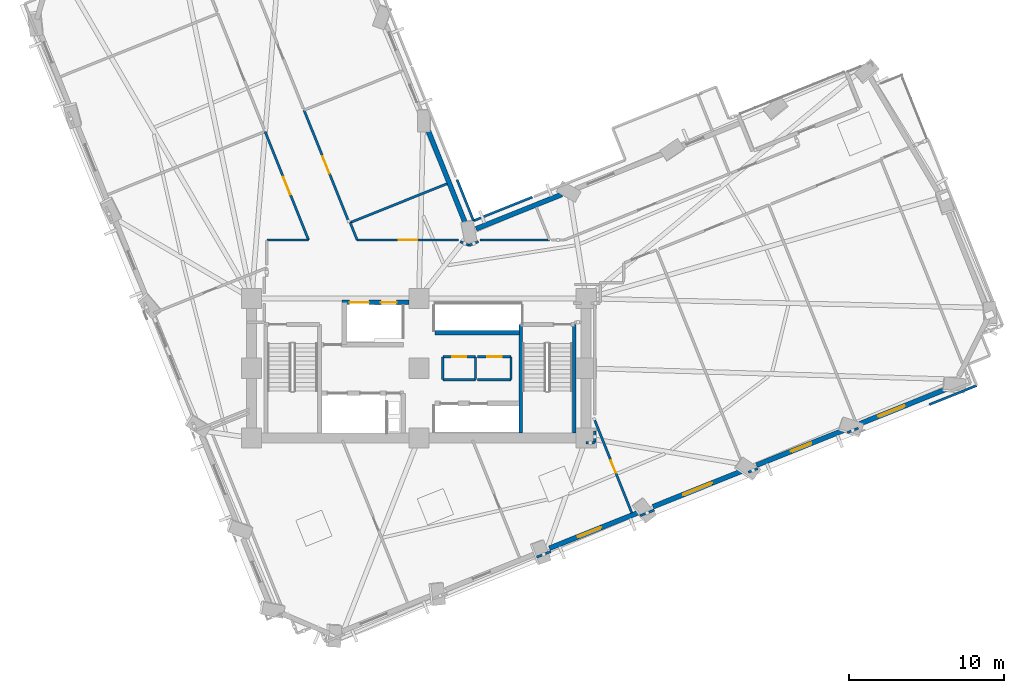
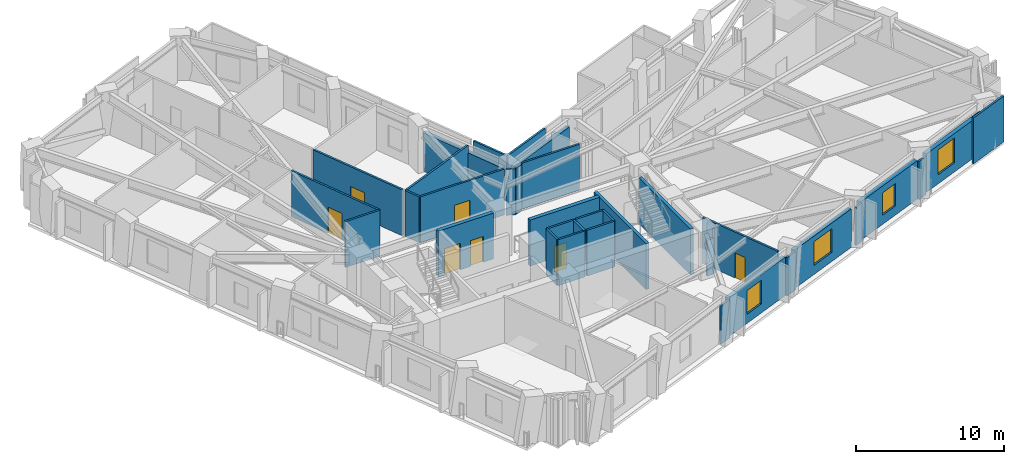
# One storey, part 9 of 16: 36 walls, 8 doors, 4 windows, 12 openings.
"""IFC4 building model written with IfcOpenShell, lengths in metres."""

from ifc_helpers import new_model, si_unit, direction, frame, frame_2d, origin, place, context, subcontext, project, spatial, rectangle, extrude, material, layer, layer_set, type_object, element, fill, save


model = new_model("IFC4")

# Units and contexts
model_context = context("Model", 3, precision=1e-05, world=origin(), true_north=direction((0.0, 1.0)))
body_context = subcontext(model_context, "Body", "Model", "MODEL_VIEW")
ifc_project = project(units=[si_unit("LENGTHUNIT", "METRE"), si_unit("AREAUNIT", "SQUARE_METRE"), si_unit("VOLUMEUNIT", "CUBIC_METRE"), si_unit("PLANEANGLEUNIT", "RADIAN"), si_unit("MASSUNIT", "GRAM", prefix="KILO")], contexts=[model_context])

# Site, building, storey
site_placement = place(None, origin())
site = spatial("IfcSite", under=ifc_project, at=site_placement, CompositionType="ELEMENT")
building_placement = place(site_placement, origin())
building = spatial("IfcBuilding", under=site, at=building_placement, Name="Gaonmaruhae Medical Tower", CompositionType="ELEMENT")
storey_placement = place(building_placement, frame((0.0, 0.0, 116.39990234375)))
storey = spatial("IfcBuildingStorey", under=building, at=storey_placement, Name="L27", CompositionType="ELEMENT", Elevation=116.39990234375)

# Wall, opening, window
ifc_material_1 = material(Name="Precast concrete C45/55", Category="concrete")
ifc_layer_1 = layer(ifc_material_1, 0.320068359375)
ifc_layer_set_1 = layer_set([ifc_layer_1], Name="Precast concrete C45/55")
wall_type_1 = type_object("IfcWallType", Name="EW-320 Lower Precast Masonry-Frame Facade Wall", PredefinedType="SOLIDWALL", material=ifc_layer_set_1)
wall_1_placement = place(storey_placement, frame((38.993408203125, 2.990478515625, 0.0), z_axis=(0.0, 0.0, 1.0), x_axis=(-0.928164774406, -0.372169519913, 0.0)))
wall_1 = element("IfcWall", 1, at=wall_1_placement, inside=storey, type_object=wall_type_1, Name="L27 Precast Masonry-Frame Wall S03-S04", PredefinedType="SOLIDWALL", context=body_context, shape_type="SweptSolid", body=[
    extrude(rectangle(XDim=6.214111328125, YDim=0.320068359375, at=frame_2d((3.10693359375, 0.0))), origin(), (0.0, 0.0, 1.0), 3.1650390625),
])
opening_1_placement = place(wall_1_placement, frame((2.622314453125, 0.0, 0.75)))
opening_1 = element("IfcOpeningElement", 2, at=opening_1_placement, cuts=wall_1, Name="Opening WN-01", PredefinedType="OPENING", context=body_context, shape_type="SweptSolid", body=[
    extrude(rectangle(XDim=1.60009765625, YDim=1.949951171875, at=frame_2d((0.800048828125, 0.97509765625))), frame((0.0, 0.169921875, 0.0), z_axis=(0.0, -1.0, 0.0), x_axis=(1.0, 0.0, 0.0)), (0.0, 0.0, 1.0), 0.340087890625),
])
ifc_material_2 = material(Name="Anodised aluminium and Low-E double glazing", Category="aluminium")
window_type_1 = type_object("IfcWindowType", Name="WN-01 Ward Punched Acoustic Window 1600x1950", PartitioningType="SINGLE_PANEL", PredefinedType="WINDOW", material=ifc_material_2)
window_1_placement = place(opening_1_placement, origin())
window_1 = element("IfcWindow", 3, at=window_1_placement, inside=storey, type_object=window_type_1, Name="L27 Modular Facade Window S03", OverallHeight=1.949951171875, OverallWidth=1.60009765625, PartitioningType="SINGLE_PANEL", PredefinedType="WINDOW", context=body_context, shape_type="SweptSolid", body=[
    extrude(rectangle(XDim=1.60009765625, YDim=1.949951171875, at=frame_2d((0.800048828125, 0.97509765625))), frame((0.0, 0.030029296875, 0.0), z_axis=(0.0, -1.0, 0.0), x_axis=(1.0, 0.0, 0.0)), (0.0, 0.0, 1.0), 0.06005859375),
])
fill(opening_1, window_1)

wall_2_placement = place(storey_placement, frame((45.676513671875, 5.67041015625, 0.0), z_axis=(0.0, 0.0, 1.0), x_axis=(-0.928164509938, -0.372170179477, 0.0)))
wall_2 = element("IfcWall", 4, at=wall_2_placement, inside=storey, type_object=wall_type_1, Name="L27 Precast Masonry-Frame Wall S04-S05", PredefinedType="SOLIDWALL", context=body_context, shape_type="SweptSolid", body=[
    extrude(rectangle(XDim=6.208984375, YDim=0.320068359375, at=frame_2d((3.1044921875, 0.0))), origin(), (0.0, 0.0, 1.0), 3.1650390625),
])
opening_2_placement = place(wall_2_placement, frame((2.104736328125, 0.0, 0.75)))
opening_2 = element("IfcOpeningElement", 5, at=opening_2_placement, cuts=wall_2, Name="Opening WN-02", PredefinedType="OPENING", context=body_context, shape_type="SweptSolid", body=[
    extrude(rectangle(XDim=2.0, YDim=1.949951171875, at=frame_2d((1.0, 0.97509765625))), frame((0.0, 0.169921875, 0.0), z_axis=(0.0, -1.0, 0.0), x_axis=(1.0, 0.0, 0.0)), (0.0, 0.0, 1.0), 0.340087890625),
])
window_type_2 = type_object("IfcWindowType", Name="WN-02 Double-Bed Ward Punched Window 2000x1950", PartitioningType="SINGLE_PANEL", PredefinedType="WINDOW", material=ifc_material_2)
window_2_placement = place(opening_2_placement, origin())
window_2 = element("IfcWindow", 6, at=window_2_placement, inside=storey, type_object=window_type_2, Name="L27 Modular Facade Window S04", OverallHeight=1.949951171875, OverallWidth=2.0, PartitioningType="SINGLE_PANEL", PredefinedType="WINDOW", context=body_context, shape_type="SweptSolid", body=[
    extrude(rectangle(XDim=2.0, YDim=1.949951171875, at=frame_2d((1.0, 0.97509765625))), frame((0.0, 0.030029296875, 0.0), z_axis=(0.0, -1.0, 0.0), x_axis=(1.0, 0.0, 0.0)), (0.0, 0.0, 1.0), 0.06005859375),
])
fill(opening_2, window_2)

wall_3_placement = place(storey_placement, frame((52.366455078125, 8.35302734375, 0.0), z_axis=(0.0, 0.0, 1.0), x_axis=(-0.928164972463, -0.372169025972, 0.0)))
wall_3 = element("IfcWall", 7, at=wall_3_placement, inside=storey, type_object=wall_type_1, Name="L27 Precast Masonry-Frame Wall S05-S06", PredefinedType="SOLIDWALL", context=body_context, shape_type="SweptSolid", body=[
    extrude(rectangle(XDim=6.21826171875, YDim=0.320068359375, at=frame_2d((3.109130859375, 0.0))), origin(), (0.0, 0.0, 1.0), 3.1650390625),
])
opening_3_placement = place(wall_3_placement, frame((2.4111328125, 0.0, 0.75)))
opening_3 = element("IfcOpeningElement", 8, at=opening_3_placement, cuts=wall_3, Name="Opening WN-03", PredefinedType="OPENING", context=body_context, shape_type="SweptSolid", body=[
    extrude(rectangle(XDim=1.39990234375, YDim=1.85009765625, at=frame_2d((0.699951171875, 0.925048828125))), frame((0.0, 0.169921875, 0.0), z_axis=(0.0, -1.0, 0.0), x_axis=(1.0, 0.0, 0.0)), (0.0, 0.0, 1.0), 0.340087890625),
])
window_type_3 = type_object("IfcWindowType", Name="WN-03 Isolation Ward Punched Window 1400x1850", PartitioningType="SINGLE_PANEL", PredefinedType="WINDOW", material=ifc_material_2)
window_3_placement = place(opening_3_placement, origin())
window_3 = element("IfcWindow", 9, at=window_3_placement, inside=storey, type_object=window_type_3, Name="L27 Modular Facade Window S05", OverallHeight=1.85009765625, OverallWidth=1.39990234375, PartitioningType="SINGLE_PANEL", PredefinedType="WINDOW", context=body_context, shape_type="SweptSolid", body=[
    extrude(rectangle(XDim=1.39990234375, YDim=1.85009765625, at=frame_2d((0.699951171875, 0.925048828125))), frame((0.0, 0.030029296875, 0.0), z_axis=(0.0, -1.0, 0.0), x_axis=(1.0, 0.0, 0.0)), (0.0, 0.0, 1.0), 0.06005859375),
])
fill(opening_3, window_3)

wall_4_placement = place(storey_placement, frame((59.063720703125, 11.038330078125, 0.0), z_axis=(0.0, 0.0, 1.0), x_axis=(-0.928163479726, -0.372172748739, 0.0)))
wall_4 = element("IfcWall", 10, at=wall_4_placement, inside=storey, type_object=wall_type_1, Name="L27 Precast Masonry-Frame Wall S06-S07", PredefinedType="SOLIDWALL", context=body_context, shape_type="SweptSolid", body=[
    extrude(rectangle(XDim=6.242431640625, YDim=0.320068359375, at=frame_2d((3.12109375, 0.0))), origin(), (0.0, 0.0, 1.0), 3.1650390625),
])
opening_4_placement = place(wall_4_placement, frame((3.14013671875, 0.0, 0.75)))
opening_4 = element("IfcOpeningElement", 11, at=opening_4_placement, cuts=wall_4, Name="Opening WN-04", PredefinedType="OPENING", context=body_context, shape_type="SweptSolid", body=[
    extrude(rectangle(XDim=1.800048828125, YDim=2.050048828125, at=frame_2d((0.89990234375, 1.02490234375))), frame((0.0, 0.169921875, 0.0), z_axis=(0.0, -1.0, 0.0), x_axis=(1.0, 0.0, 0.0)), (0.0, 0.0, 1.0), 0.340087890625),
])
window_type_4 = type_object("IfcWindowType", Name="WN-04 Clinic & Consult Punched Window 1800x2050", PartitioningType="SINGLE_PANEL", PredefinedType="WINDOW", material=ifc_material_2)
window_4_placement = place(opening_4_placement, origin())
window_4 = element("IfcWindow", 12, at=window_4_placement, inside=storey, type_object=window_type_4, Name="L27 Modular Facade Window S06", OverallHeight=2.050048828125, OverallWidth=1.800048828125, PartitioningType="SINGLE_PANEL", PredefinedType="WINDOW", context=body_context, shape_type="SweptSolid", body=[
    extrude(rectangle(XDim=1.800048828125, YDim=2.050048828125, at=frame_2d((0.89990234375, 1.02490234375))), frame((0.0, 0.030029296875, 0.0), z_axis=(0.0, -1.0, 0.0), x_axis=(1.0, 0.0, 0.0)), (0.0, 0.0, 1.0), 0.06005859375),
])
fill(opening_4, window_4)

# Walls
wall_5_placement = place(storey_placement, frame((28.49169921875, 21.297119140625, 0.0), z_axis=(0.0, 0.0, 1.0), x_axis=(0.928154282778, 0.372195684232, 0.0)))
element("IfcWall", 13, at=wall_5_placement, inside=storey, type_object=wall_type_1, Name="L27 Precast Masonry-Frame Wall EN03-KN01", PredefinedType="SOLIDWALL", context=body_context, shape_type="SweptSolid", body=[
    extrude(rectangle(XDim=5.9599609375, YDim=0.320068359375, at=frame_2d((2.97998046875, 0.0))), origin(), (0.0, 0.0, 1.0), 3.1650390625),
])
wall_6_placement = place(storey_placement, frame((25.342529296875, 27.793701171875, 0.0), z_axis=(0.0, 0.0, 1.0), x_axis=(0.37216889436, -0.928165025236, 0.0)))
element("IfcWall", 14, at=wall_6_placement, inside=storey, type_object=wall_type_1, Name="L27 Precast Masonry-Frame Wall KN01-NE01", PredefinedType="SOLIDWALL", context=body_context, shape_type="SweptSolid", body=[
    extrude(rectangle(XDim=6.760009765625, YDim=0.320068359375, at=frame_2d((3.3798828125, 0.0))), origin(), (0.0, 0.0, 1.0), 3.1650390625),
])
ifc_material_3 = material(Name="Gypsum board partition", Category="gypsum")
ifc_layer_2 = layer(ifc_material_3, 0.14990234375)
ifc_layer_set_2 = layer_set([ifc_layer_2], Name="Gypsum board partition")
wall_type_2 = type_object("IfcWallType", Name="PW-150 Rated Clinical Corridor Partition", PredefinedType="PARTITIONING", material=ifc_layer_set_2)
wall_7_placement = place(storey_placement, frame((26.35009765625, 11.56005859375, 0.0), z_axis=(0.0, 0.0, 1.0), x_axis=(0.0, 1.0, 0.0)))
element("IfcWall", 15, at=wall_7_placement, inside=storey, type_object=wall_type_2, Name="L27 Interior Partition L27-CS1-1", PredefinedType="PARTITIONING", context=body_context, shape_type="SweptSolid", body=[
    extrude(rectangle(XDim=1.47998046875, YDim=0.14990234375, at=frame_2d((0.739990234375, 0.0))), origin(), (0.0, 0.0, 1.0), 3.780029296875),
])

# Wall, opening, door
wall_8_placement = place(storey_placement, frame((26.35009765625, 13.0400390625, 0.0), z_axis=(0.0, 0.0, 1.0), x_axis=(1.0, 0.0, 0.0)))
wall_8 = element("IfcWall", 16, at=wall_8_placement, inside=storey, type_object=wall_type_2, Name="L27 Interior Partition L27-CS1-2", PredefinedType="PARTITIONING", context=body_context, shape_type="SweptSolid", body=[
    extrude(rectangle(XDim=2.099853515625, YDim=0.14990234375, at=frame_2d((1.0498046875, 0.0))), origin(), (0.0, 0.0, 1.0), 3.780029296875),
])
opening_5_placement = place(wall_8_placement, frame((0.590087890625, 0.0, 0.0)))
opening_5 = element("IfcOpeningElement", 17, at=opening_5_placement, cuts=wall_8, Name="Opening UD-01", PredefinedType="OPENING", context=body_context, shape_type="SweptSolid", body=[
    extrude(rectangle(XDim=0.919921875, YDim=2.10009765625, at=frame_2d((0.4599609375, 1.050048828125))), frame((0.0, 0.0849609375, 0.0), z_axis=(0.0, -1.0, 0.0), x_axis=(1.0, 0.0, 0.0)), (0.0, 0.0, 1.0), 0.169921875),
])
ifc_material_4 = material(Name="Powder-coated steel utility door", Category="steel")
door_type_1 = type_object("IfcDoorType", Name="UD-01 Toilet, Utility & Housekeeping Door 920x2100", OperationType="NOTDEFINED", PredefinedType="DOOR", material=ifc_material_4)
door_1_placement = place(opening_5_placement, origin())
door_1 = element("IfcDoor", 18, at=door_1_placement, inside=storey, type_object=door_type_1, Name="L27 Accessible Staff Toilet Door", OperationType="SINGLE_SWING_LEFT", OverallHeight=2.10009765625, OverallWidth=0.919921875, PredefinedType="DOOR", context=body_context, shape_type="SweptSolid", body=[
    extrude(rectangle(XDim=0.919921875, YDim=2.10009765625, at=frame_2d((0.4599609375, 1.050048828125))), frame((0.0, 0.02490234375, 0.0), z_axis=(0.0, -1.0, 0.0), x_axis=(1.0, 0.0, 0.0)), (0.0, 0.0, 1.0), 0.050048828125),
])
fill(opening_5, door_1)

# Walls
wall_9_placement = place(storey_placement, frame((28.449951171875, 13.0400390625, 0.0), z_axis=(0.0, 0.0, 1.0), x_axis=(0.0, -1.0, 0.0)))
element("IfcWall", 19, at=wall_9_placement, inside=storey, type_object=wall_type_2, Name="L27 Interior Partition L27-CS1-3", PredefinedType="PARTITIONING", context=body_context, shape_type="SweptSolid", body=[
    extrude(rectangle(XDim=1.47998046875, YDim=0.14990234375, at=frame_2d((0.739990234375, 0.0))), origin(), (0.0, 0.0, 1.0), 3.780029296875),
])
wall_10_placement = place(storey_placement, frame((28.449951171875, 11.56005859375, 0.0), z_axis=(0.0, 0.0, 1.0), x_axis=(-1.0, 0.0, 0.0)))
element("IfcWall", 20, at=wall_10_placement, inside=storey, type_object=wall_type_2, Name="L27 Interior Partition L27-CS1-4", PredefinedType="PARTITIONING", context=body_context, shape_type="SweptSolid", body=[
    extrude(rectangle(XDim=2.099853515625, YDim=0.14990234375, at=frame_2d((1.0498046875, 0.0))), origin(), (0.0, 0.0, 1.0), 3.780029296875),
])

# Wall, opening, door
wall_11_placement = place(storey_placement, frame((28.60009765625, 13.0400390625, 0.0), z_axis=(0.0, 0.0, 1.0), x_axis=(1.0, 0.0, 0.0)))
wall_11 = element("IfcWall", 21, at=wall_11_placement, inside=storey, type_object=wall_type_2, Name="L27 Interior Partition L27-CS2-5", PredefinedType="PARTITIONING", context=body_context, shape_type="SweptSolid", body=[
    extrude(rectangle(XDim=2.14990234375, YDim=0.14990234375, at=frame_2d((1.074951171875, 0.0))), origin(), (0.0, 0.0, 1.0), 3.780029296875),
])
opening_6_placement = place(wall_11_placement, frame((0.614990234375, 0.0, 0.0)))
opening_6 = element("IfcOpeningElement", 22, at=opening_6_placement, cuts=wall_11, Name="Opening UD-01", PredefinedType="OPENING", context=body_context, shape_type="SweptSolid", body=[
    extrude(rectangle(XDim=0.919921875, YDim=2.10009765625, at=frame_2d((0.4599609375, 1.050048828125))), frame((0.0, 0.0849609375, 0.0), z_axis=(0.0, -1.0, 0.0), x_axis=(1.0, 0.0, 0.0)), (0.0, 0.0, 1.0), 0.169921875),
])
door_2_placement = place(opening_6_placement, origin())
door_2 = element("IfcDoor", 23, at=door_2_placement, inside=storey, type_object=door_type_1, Name="L27 Biomedical Telemetry Closet Door", OperationType="SINGLE_SWING_RIGHT", OverallHeight=2.10009765625, OverallWidth=0.919921875, PredefinedType="DOOR", context=body_context, shape_type="SweptSolid", body=[
    extrude(rectangle(XDim=0.919921875, YDim=2.10009765625, at=frame_2d((0.4599609375, 1.050048828125))), frame((0.0, 0.02490234375, 0.0), z_axis=(0.0, -1.0, 0.0), x_axis=(1.0, 0.0, 0.0)), (0.0, 0.0, 1.0), 0.050048828125),
])
fill(opening_6, door_2)

# Walls
wall_12_placement = place(storey_placement, frame((30.75, 13.0400390625, 0.0), z_axis=(0.0, 0.0, 1.0), x_axis=(0.0, -1.0, 0.0)))
element("IfcWall", 24, at=wall_12_placement, inside=storey, type_object=wall_type_2, Name="L27 Interior Partition L27-CS2-6", PredefinedType="PARTITIONING", context=body_context, shape_type="SweptSolid", body=[
    extrude(rectangle(XDim=1.47998046875, YDim=0.14990234375, at=frame_2d((0.739990234375, 0.0))), origin(), (0.0, 0.0, 1.0), 3.780029296875),
])
wall_13_placement = place(storey_placement, frame((30.75, 11.56005859375, 0.0), z_axis=(0.0, 0.0, 1.0), x_axis=(-1.0, 0.0, 0.0)))
element("IfcWall", 25, at=wall_13_placement, inside=storey, type_object=wall_type_2, Name="L27 Interior Partition L27-CS2-7", PredefinedType="PARTITIONING", context=body_context, shape_type="SweptSolid", body=[
    extrude(rectangle(XDim=2.14990234375, YDim=0.14990234375, at=frame_2d((1.074951171875, 0.0))), origin(), (0.0, 0.0, 1.0), 3.780029296875),
])

# Wall, opening, door
wall_14_placement = place(storey_placement, frame((36.14990234375, 8.943115234375, 0.0), z_axis=(0.0, 0.0, 1.0), x_axis=(0.372206491807, -0.9281499488, 0.0)))
wall_14 = element("IfcWall", 26, at=wall_14_placement, inside=storey, type_object=wall_type_2, Name="L27 Interior Partition L27-SUP03-17", PredefinedType="PARTITIONING", context=body_context, shape_type="SweptSolid", body=[
    extrude(rectangle(XDim=6.448486328125, YDim=0.14990234375, at=frame_2d((3.22412109375, 0.0))), origin(), (0.0, 0.0, 1.0), 3.780029296875),
])
opening_7_placement = place(wall_14_placement, frame((2.794189453125, 0.0, 0.0)))
opening_7 = element("IfcOpeningElement", 27, at=opening_7_placement, cuts=wall_14, Name="Opening AD-01", PredefinedType="OPENING", context=body_context, shape_type="SweptSolid", body=[
    extrude(rectangle(XDim=0.860107421875, YDim=2.06005859375, at=frame_2d((0.43017578125, 1.030029296875))), frame((0.0, 0.0849609375, 0.0), z_axis=(0.0, -1.0, 0.0), x_axis=(1.0, 0.0, 0.0)), (0.0, 0.0, 1.0), 0.169921875),
])
ifc_material_5 = material(Name="Powder-coated steel access door", Category="steel")
door_type_2 = type_object("IfcDoorType", Name="AD-01 Riser & Closet Access Fire Door 860x2060", OperationType="NOTDEFINED", PredefinedType="DOOR", material=ifc_material_5)
door_3_placement = place(opening_7_placement, origin())
door_3 = element("IfcDoor", 28, at=door_3_placement, inside=storey, type_object=door_type_2, Name="L27 Clinical Biomedical Charting Office Sliding Door", OperationType="SLIDING_TO_LEFT", OverallHeight=2.06005859375, OverallWidth=0.860107421875, PredefinedType="DOOR", context=body_context, shape_type="SweptSolid", body=[
    extrude(rectangle(XDim=0.860107421875, YDim=2.06005859375, at=frame_2d((0.43017578125, 1.030029296875))), frame((0.0, 0.02490234375, 0.0), z_axis=(0.0, -1.0, 0.0), x_axis=(1.0, 0.0, 0.0)), (0.0, 0.0, 1.0), 0.050048828125),
])
fill(opening_7, door_3)

# Walls
wall_15_placement = place(storey_placement, frame((33.31103515625, 0.464111328125, 0.0), z_axis=(0.0, 0.0, 1.0), x_axis=(-0.928321842669, -0.371777563099, 0.0)))
element("IfcWall", 29, at=wall_15_placement, inside=storey, type_object=wall_type_2, Name="L27 Interior Partition L27-SUP03-18", PredefinedType="PARTITIONING", context=body_context, shape_type="SweptSolid", body=[
    extrude(rectangle(XDim=0.97900390625, YDim=0.14990234375, at=frame_2d((0.489501953125, 0.0))), origin(), (0.0, 0.0, 1.0), 3.1650390625),
])
wall_16_placement = place(storey_placement, frame((35.60009765625, 7.5, 0.0), z_axis=(0.0, 0.0, 1.0), x_axis=(1.0, 0.0, 0.0)))
element("IfcWall", 30, at=wall_16_placement, inside=storey, type_object=wall_type_2, Name="L27 Interior Partition L27-SUP03-19", PredefinedType="PARTITIONING", context=body_context, shape_type="SweptSolid", body=[
    extrude(rectangle(XDim=0.5498046875, YDim=0.14990234375, at=frame_2d((0.27490234375, 0.0))), origin(), (0.0, 0.0, 1.0), 2.965087890625),
])
wall_17_placement = place(storey_placement, frame((36.14990234375, 7.5, 0.0), z_axis=(0.0, 0.0, 1.0), x_axis=(0.0, 1.0, 0.0)))
element("IfcWall", 31, at=wall_17_placement, inside=storey, type_object=wall_type_2, Name="L27 Interior Partition L27-SUP03-20", PredefinedType="PARTITIONING", context=body_context, shape_type="SweptSolid", body=[
    extrude(rectangle(XDim=0.743896484375, YDim=0.14990234375, at=frame_2d((0.3720703125, 0.0))), origin(), (0.0, 0.0, 1.0), 3.780029296875),
])
wall_18_placement = place(storey_placement, frame((39.9990234375, 3.14599609375, 0.0), z_axis=(0.0, 0.0, 1.0), x_axis=(-0.928153569213, -0.372197463663, 0.0)))
element("IfcWall", 32, at=wall_18_placement, inside=storey, type_object=wall_type_2, Name="L27 Interior Partition L27-SUP04-29", PredefinedType="PARTITIONING", context=body_context, shape_type="SweptSolid", body=[
    extrude(rectangle(XDim=0.9912109375, YDim=0.14990234375, at=frame_2d((0.49560546875, 0.0))), origin(), (0.0, 0.0, 1.0), 3.1650390625),
])
wall_19_placement = place(storey_placement, frame((53.1650390625, 8.425048828125, 0.0), z_axis=(0.0, 0.0, 1.0), x_axis=(-0.928081747062, -0.372376517479, 0.0)))
element("IfcWall", 33, at=wall_19_placement, inside=storey, type_object=wall_type_2, Name="L27 Interior Partition L27-SUP05-34", PredefinedType="PARTITIONING", context=body_context, shape_type="SweptSolid", body=[
    extrude(rectangle(XDim=0.768310546875, YDim=0.14990234375, at=frame_2d((0.38427734375, 0.0))), origin(), (0.0, 0.0, 1.0), 3.1650390625),
])
wall_20_placement = place(storey_placement, frame((46.680908203125, 5.824951171875, 0.0), z_axis=(0.0, 0.0, 1.0), x_axis=(-0.92839940505, -0.371583832673, 0.0)))
element("IfcWall", 34, at=wall_20_placement, inside=storey, type_object=wall_type_2, Name="L27 Interior Partition L27-SUP05-35", PredefinedType="PARTITIONING", context=body_context, shape_type="SweptSolid", body=[
    extrude(rectangle(XDim=0.65380859375, YDim=0.14990234375, at=frame_2d((0.326904296875, 0.0))), origin(), (0.0, 0.0, 1.0), 3.1650390625),
])

# Wall, opening, door
wall_21_placement = place(storey_placement, frame((14.8701171875, 27.5791015625, 0.0), z_axis=(0.0, 0.0, 1.0), x_axis=(0.372222245283, -0.928143631189, 0.0)))
wall_21 = element("IfcWall", 35, at=wall_21_placement, inside=storey, type_object=wall_type_2, Name="L27 Interior Partition L27-WOF08-51", PredefinedType="PARTITIONING", context=body_context, shape_type="SweptSolid", body=[
    extrude(rectangle(XDim=7.540771484375, YDim=0.14990234375, at=frame_2d((3.7705078125, 0.0))), origin(), (0.0, 0.0, 1.0), 3.780029296875),
])
opening_8_placement = place(wall_21_placement, frame((3.17041015625, 0.0, 0.0)))
opening_8 = element("IfcOpeningElement", 36, at=opening_8_placement, cuts=wall_21, Name="Opening CD-02", PredefinedType="OPENING", context=body_context, shape_type="SweptSolid", body=[
    extrude(rectangle(XDim=1.199951171875, YDim=2.14990234375, at=frame_2d((0.60009765625, 1.074951171875))), frame((0.0, 0.0849609375, 0.0), z_axis=(0.0, -1.0, 0.0), x_axis=(1.0, 0.0, 0.0)), (0.0, 0.0, 1.0), 0.169921875),
])
ifc_material_6 = material(Name="Antimicrobial laminate timber fire door", Category="wood")
door_type_3 = type_object("IfcDoorType", Name="CD-02 Clinical Treatment & Procedure Door 1200x2150", OperationType="NOTDEFINED", PredefinedType="DOOR", material=ifc_material_6)
door_4_placement = place(opening_8_placement, origin())
door_4 = element("IfcDoor", 37, at=door_4_placement, inside=storey, type_object=door_type_3, Name="L27 Ward Physician Reporting Office Door", OperationType="SINGLE_SWING_RIGHT", OverallHeight=2.14990234375, OverallWidth=1.199951171875, PredefinedType="DOOR", context=body_context, shape_type="SweptSolid", body=[
    extrude(rectangle(XDim=1.199951171875, YDim=2.14990234375, at=frame_2d((0.60009765625, 1.074951171875))), frame((0.0, 0.02490234375, 0.0), z_axis=(0.0, -1.0, 0.0), x_axis=(1.0, 0.0, 0.0)), (0.0, 0.0, 1.0), 0.050048828125),
])
fill(opening_8, door_4)

# Walls
wall_22_placement = place(storey_placement, frame((17.677001953125, 20.580078125, 0.0), z_axis=(0.0, 0.0, 1.0), x_axis=(-1.0, 0.0, 0.0)))
element("IfcWall", 38, at=wall_22_placement, inside=storey, type_object=wall_type_2, Name="L27 Interior Partition L27-WOF08-52", PredefinedType="PARTITIONING", context=body_context, shape_type="SweptSolid", body=[
    extrude(rectangle(XDim=2.679931640625, YDim=0.14990234375, at=frame_2d((1.33984375, 0.0))), origin(), (0.0, 0.0, 1.0), 3.780029296875),
])
wall_23_placement = place(storey_placement, frame((28.64404296875, 20.47412109375, 0.0), z_axis=(0.0, 0.0, 1.0), x_axis=(-0.923494633817, -0.383611341478, 0.0)))
element("IfcWall", 39, at=wall_23_placement, inside=storey, type_object=wall_type_2, Name="L27 Interior Partition L27-IE01-64", PredefinedType="PARTITIONING", context=body_context, shape_type="SweptSolid", body=[
    extrude(rectangle(XDim=0.638916015625, YDim=0.14990234375, at=frame_2d((0.3193359375, 0.0))), origin(), (0.0, 0.0, 1.0), 3.780029296875),
])
wall_24_placement = place(storey_placement, frame((28.053955078125, 20.22900390625, 0.0), z_axis=(0.0, 0.0, 1.0), x_axis=(-0.923438377602, 0.38374674301, 0.0)))
element("IfcWall", 40, at=wall_24_placement, inside=storey, type_object=wall_type_2, Name="L27 Interior Partition L27-IE01-65", PredefinedType="PARTITIONING", context=body_context, shape_type="SweptSolid", body=[
    extrude(rectangle(XDim=0.638671875, YDim=0.14990234375, at=frame_2d((0.3193359375, 0.0))), origin(), (0.0, 0.0, 1.0), 3.780029296875),
])

# Wall, opening, door
wall_25_placement = place(storey_placement, frame((27.35888671875, 20.580078125, 0.0), z_axis=(0.0, 0.0, 1.0), x_axis=(-1.0, 0.0, 0.0)))
wall_25 = element("IfcWall", 41, at=wall_25_placement, inside=storey, type_object=wall_type_2, Name="L27 Interior Partition L27-IE01-66", PredefinedType="PARTITIONING", context=body_context, shape_type="SweptSolid", body=[
    extrude(rectangle(XDim=6.546875, YDim=0.14990234375, at=frame_2d((3.2734375, 0.0))), origin(), (0.0, 0.0, 1.0), 3.780029296875),
])
opening_9_placement = place(wall_25_placement, frame((2.673583984375, 0.0, 0.0)))
opening_9 = element("IfcOpeningElement", 42, at=opening_9_placement, cuts=wall_25, Name="Opening CD-02", PredefinedType="OPENING", context=body_context, shape_type="SweptSolid", body=[
    extrude(rectangle(XDim=1.199951171875, YDim=2.14990234375, at=frame_2d((0.60009765625, 1.074951171875))), frame((0.0, 0.0849609375, 0.0), z_axis=(0.0, -1.0, 0.0), x_axis=(1.0, 0.0, 0.0)), (0.0, 0.0, 1.0), 0.169921875),
])
door_5_placement = place(opening_9_placement, origin())
door_5 = element("IfcDoor", 43, at=door_5_placement, inside=storey, type_object=door_type_3, Name="L27 Central Clinical Nurse Station Door", OperationType="SINGLE_SWING_RIGHT", OverallHeight=2.14990234375, OverallWidth=1.199951171875, PredefinedType="DOOR", context=body_context, shape_type="SweptSolid", body=[
    extrude(rectangle(XDim=1.199951171875, YDim=2.14990234375, at=frame_2d((0.60009765625, 1.074951171875))), frame((0.0, 0.02490234375, 0.0), z_axis=(0.0, -1.0, 0.0), x_axis=(1.0, 0.0, 0.0)), (0.0, 0.0, 1.0), 0.050048828125),
])
fill(opening_9, door_5)

# Walls
wall_26_placement = place(storey_placement, frame((20.81201171875, 20.580078125, 0.0), z_axis=(0.0, 0.0, 1.0), x_axis=(-0.371843836614, 0.928295298476, 0.0)))
element("IfcWall", 44, at=wall_26_placement, inside=storey, type_object=wall_type_2, Name="L27 Interior Partition L27-IE01-67", PredefinedType="PARTITIONING", context=body_context, shape_type="SweptSolid", body=[
    extrude(rectangle(XDim=1.20751953125, YDim=0.14990234375, at=frame_2d((0.603759765625, 0.0))), origin(), (0.0, 0.0, 1.0), 3.780029296875),
])
wall_27_placement = place(storey_placement, frame((20.363037109375, 21.700927734375, 0.0), z_axis=(0.0, 0.0, 1.0), x_axis=(0.928142281739, 0.372225610147, 0.0)))
element("IfcWall", 45, at=wall_27_placement, inside=storey, type_object=wall_type_2, Name="L27 Interior Partition L27-IE01-68", PredefinedType="PARTITIONING", context=body_context, shape_type="SweptSolid", body=[
    extrude(rectangle(XDim=6.75439453125, YDim=0.14990234375, at=frame_2d((3.377197265625, 0.0))), origin(), (0.0, 0.0, 1.0), 3.780029296875),
])
wall_28_placement = place(storey_placement, frame((27.26806640625, 24.469970703125, 0.0), z_axis=(0.0, 0.0, 1.0), x_axis=(0.372187869695, -0.928157416418, 0.0)))
element("IfcWall", 46, at=wall_28_placement, inside=storey, type_object=wall_type_2, Name="L27 Interior Partition L27-IE01-69", PredefinedType="PARTITIONING", context=body_context, shape_type="SweptSolid", body=[
    extrude(rectangle(XDim=2.850830078125, YDim=0.14990234375, at=frame_2d((1.42529296875, 0.0))), origin(), (0.0, 0.0, 1.0), 3.780029296875),
])
wall_29_placement = place(storey_placement, frame((28.3291015625, 21.823974609375, 0.0), z_axis=(0.0, 0.0, 1.0), x_axis=(0.928105529855, 0.372317237652, 0.0)))
element("IfcWall", 47, at=wall_29_placement, inside=storey, type_object=wall_type_2, Name="L27 Interior Partition L27-IE01-70", PredefinedType="PARTITIONING", context=body_context, shape_type="SweptSolid", body=[
    extrude(rectangle(XDim=4.087890625, YDim=0.14990234375, at=frame_2d((2.0439453125, 0.0))), origin(), (0.0, 0.0, 1.0), 3.780029296875),
])
wall_30_placement = place(storey_placement, frame((33.23193359375, 20.580078125, 0.0), z_axis=(0.0, 0.0, 1.0), x_axis=(-1.0, 0.0, 0.0)))
element("IfcWall", 48, at=wall_30_placement, inside=storey, type_object=wall_type_2, Name="L27 Interior Partition L27-IE01-72", PredefinedType="PARTITIONING", context=body_context, shape_type="SweptSolid", body=[
    extrude(rectangle(XDim=4.48583984375, YDim=0.14990234375, at=frame_2d((2.242919921875, 0.0))), origin(), (0.0, 0.0, 1.0), 3.780029296875),
])

# Wall, opening, door
wall_31_placement = place(storey_placement, frame((20.22900390625, 21.873046875, 0.0), z_axis=(0.0, 0.0, 1.0), x_axis=(-0.372211937798, 0.928147764831, 0.0)))
wall_31 = element("IfcWall", 49, at=wall_31_placement, inside=storey, type_object=wall_type_2, Name="L27 Interior Partition L27-IN01-85", PredefinedType="PARTITIONING", context=body_context, shape_type="SweptSolid", body=[
    extrude(rectangle(XDim=7.635498046875, YDim=0.14990234375, at=frame_2d((3.81787109375, 0.0))), origin(), (0.0, 0.0, 1.0), 3.780029296875),
])
opening_10_placement = place(wall_31_placement, frame((3.2177734375, 0.0, 0.0)))
opening_10 = element("IfcOpeningElement", 50, at=opening_10_placement, cuts=wall_31, Name="Opening CD-02", PredefinedType="OPENING", context=body_context, shape_type="SweptSolid", body=[
    extrude(rectangle(XDim=1.199951171875, YDim=2.14990234375, at=frame_2d((0.60009765625, 1.074951171875))), frame((0.0, 0.0849609375, 0.0), z_axis=(0.0, -1.0, 0.0), x_axis=(1.0, 0.0, 0.0)), (0.0, 0.0, 1.0), 0.169921875),
])
door_6_placement = place(opening_10_placement, origin())
door_6 = element("IfcDoor", 51, at=door_6_placement, inside=storey, type_object=door_type_3, Name="L27 Physician Consultation Office Door", OperationType="SINGLE_SWING_RIGHT", OverallHeight=2.14990234375, OverallWidth=1.199951171875, PredefinedType="DOOR", context=body_context, shape_type="SweptSolid", body=[
    extrude(rectangle(XDim=1.199951171875, YDim=2.14990234375, at=frame_2d((0.60009765625, 1.074951171875))), frame((0.0, 0.02490234375, 0.0), z_axis=(0.0, -1.0, 0.0), x_axis=(1.0, 0.0, 0.0)), (0.0, 0.0, 1.0), 0.050048828125),
])
fill(opening_10, door_6)

# Walls
wall_32_placement = place(storey_placement, frame((60.822998046875, 11.18408203125, 0.0), z_axis=(0.0, 0.0, 1.0), x_axis=(-0.928095815957, -0.372341451362, 0.0)))
element("IfcWall", 52, at=wall_32_placement, inside=storey, type_object=wall_type_2, Name="L27 Interior Partition L27-RM02-106", PredefinedType="PARTITIONING", context=body_context, shape_type="SweptSolid", body=[
    extrude(rectangle(XDim=3.31982421875, YDim=0.14990234375, at=frame_2d((1.659912109375, 0.0))), origin(), (0.0, 0.0, 1.0), 3.780029296875),
])
ifc_material_7 = material(Name="Concrete C50/60", Category="concrete")
ifc_layer_3 = layer(ifc_material_7, 0.239990234375)
ifc_layer_set_3 = layer_set([ifc_layer_3], Name="Concrete C50/60")
wall_type_3 = type_object("IfcWallType", Name="SW-240 Dogleg Stair Tight Shaft Wall", PredefinedType="SOLIDWALL", material=ifc_layer_set_3)
for number, where, z_axis, x_axis, name in (
    (53, (34.830078125, 15.1201171875, 0.0), (0.0, 0.0, 1.0), (0.0, -1.0, 0.0), "L27 ST-02 Stair Shaft Wall SHW-ST-02-E"),
    (54, (31.3701171875, 8.125, 0.0), (0.0, 0.0, 1.0), (0.0, 1.0, 0.0), "L27 ST-02 Stair Shaft Wall SHW-ST-02-W"),
):
    element("IfcWall", number, at=place(storey_placement, frame(where, z_axis=z_axis, x_axis=x_axis)), inside=storey, type_object=wall_type_3, Name=name, PredefinedType="SOLIDWALL", context=body_context, shape_type="SweptSolid", body=[
        extrude(rectangle(XDim=6.9951171875, YDim=0.239990234375, at=frame_2d((3.49755859375, 0.0))), origin(), (0.0, 0.0, 1.0), 3.780029296875),
    ])

# Wall, openings, doors
ifc_layer_4 = layer(ifc_material_7, 0.300048828125)
ifc_layer_set_4 = layer_set([ifc_layer_4], Name="Concrete C50/60")
wall_type_4 = type_object("IfcWallType", Name="SW-300 Stair & Lift Hoistway Shaft Wall", PredefinedType="SOLIDWALL", material=ifc_layer_set_4)
wall_33_placement = place(storey_placement, frame((19.85009765625, 16.550048828125, 0.0), z_axis=(0.0, 0.0, 1.0), x_axis=(1.0, 0.0, 0.0)))
wall_33 = element("IfcWall", 55, at=wall_33_placement, inside=storey, type_object=wall_type_4, Name="L27 Core Shear Wall CSW-NB", PredefinedType="SOLIDWALL", context=body_context, shape_type="SweptSolid", body=[
    extrude(rectangle(XDim=4.2998046875, YDim=0.300048828125, at=frame_2d((2.14990234375, 0.0))), origin(), (0.0, 0.0, 1.0), 3.780029296875),
])
opening_11_placement = place(wall_33_placement, frame((0.47509765625, 0.0, 0.0)))
opening_11 = element("IfcOpeningElement", 56, at=opening_11_placement, cuts=wall_33, Name="Opening LD-F1", PredefinedType="OPENING", context=body_context, shape_type="SweptSolid", body=[
    extrude(rectangle(XDim=1.25, YDim=2.179931640625, at=frame_2d((0.625, 1.08984375))), frame((0.0, 0.16015625, 0.0), z_axis=(0.0, -1.0, 0.0), x_axis=(1.0, 0.0, 0.0)), (0.0, 0.0, 1.0), 0.320068359375),
])
opening_12_placement = place(wall_33_placement, frame((2.489990234375, 0.0, 0.0)))
opening_12 = element("IfcOpeningElement", 57, at=opening_12_placement, cuts=wall_33, Name="Opening LD-S1", PredefinedType="OPENING", context=body_context, shape_type="SweptSolid", body=[
    extrude(rectangle(XDim=1.02001953125, YDim=2.1201171875, at=frame_2d((0.510009765625, 1.06005859375))), frame((0.0, 0.16015625, 0.0), z_axis=(0.0, -1.0, 0.0), x_axis=(1.0, 0.0, 0.0)), (0.0, 0.0, 1.0), 0.320068359375),
])
ifc_material_8 = material(Name="Brushed stainless steel 316L landing door", Category="steel")
door_type_4 = type_object("IfcDoorType", Name="LD-F1 Firefighting & Bed Lift Sliding Landing Door 1250x2180", OperationType="NOTDEFINED", PredefinedType="DOOR", material=ifc_material_8)
door_7_placement = place(opening_11_placement, origin())
door_7 = element("IfcDoor", 58, at=door_7_placement, inside=storey, type_object=door_type_4, Name="L27 Service/Bed Lift Landing Door BDL-01", OperationType="DOUBLE_DOOR_SLIDING", OverallHeight=2.179931640625, OverallWidth=1.25, PredefinedType="DOOR", context=body_context, shape_type="SweptSolid", body=[
    extrude(rectangle(XDim=1.25, YDim=2.179931640625, at=frame_2d((0.625, 1.08984375))), frame((0.0, 0.02490234375, 0.0), z_axis=(0.0, -1.0, 0.0), x_axis=(1.0, 0.0, 0.0)), (0.0, 0.0, 1.0), 0.050048828125),
])
fill(opening_11, door_7)
ifc_material_9 = material(Name="Brushed stainless steel 304 landing door", Category="steel")
door_type_5 = type_object("IfcDoorType", Name="LD-S1 Service Lift Sliding Landing Door 1020x2120", OperationType="NOTDEFINED", PredefinedType="DOOR", material=ifc_material_9)
door_8_placement = place(opening_12_placement, origin())
door_8 = element("IfcDoor", 59, at=door_8_placement, inside=storey, type_object=door_type_5, Name="L27 Service/Bed Lift Landing Door SVL-01", OperationType="SLIDING_TO_LEFT", OverallHeight=2.1201171875, OverallWidth=1.02001953125, PredefinedType="DOOR", context=body_context, shape_type="SweptSolid", body=[
    extrude(rectangle(XDim=1.02001953125, YDim=2.1201171875, at=frame_2d((0.510009765625, 1.06005859375))), frame((0.0, 0.02490234375, 0.0), z_axis=(0.0, -1.0, 0.0), x_axis=(1.0, 0.0, 0.0)), (0.0, 0.0, 1.0), 0.050048828125),
])
fill(opening_12, door_8)

# Wall
wall_34_placement = place(storey_placement, frame((25.85009765625, 14.580078125, 0.0), z_axis=(0.0, 0.0, 1.0), x_axis=(1.0, 0.0, 0.0)))
element("IfcWall", 60, at=wall_34_placement, inside=storey, type_object=wall_type_4, Name="L27 Shaft Enclosure Wall SHW-PLN", PredefinedType="SOLIDWALL", context=body_context, shape_type="SweptSolid", body=[
    extrude(rectangle(XDim=5.449951171875, YDim=0.300048828125, at=frame_2d((2.72509765625, 0.0))), origin(), (0.0, 0.0, 1.0), 3.780029296875),
])

save(model, "model.ifc")
